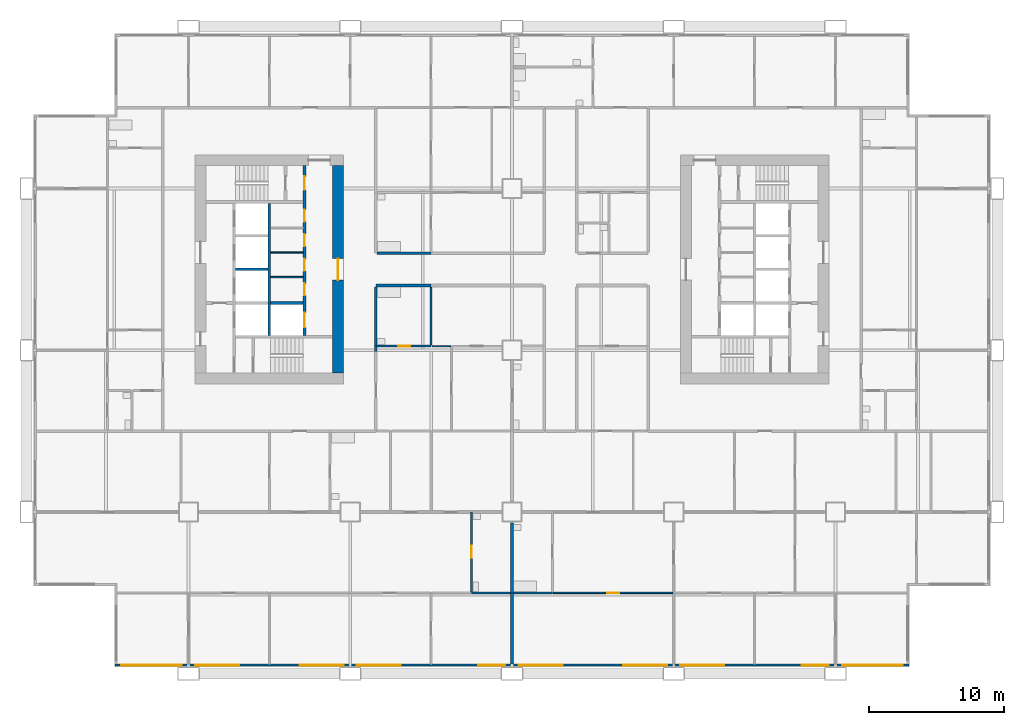
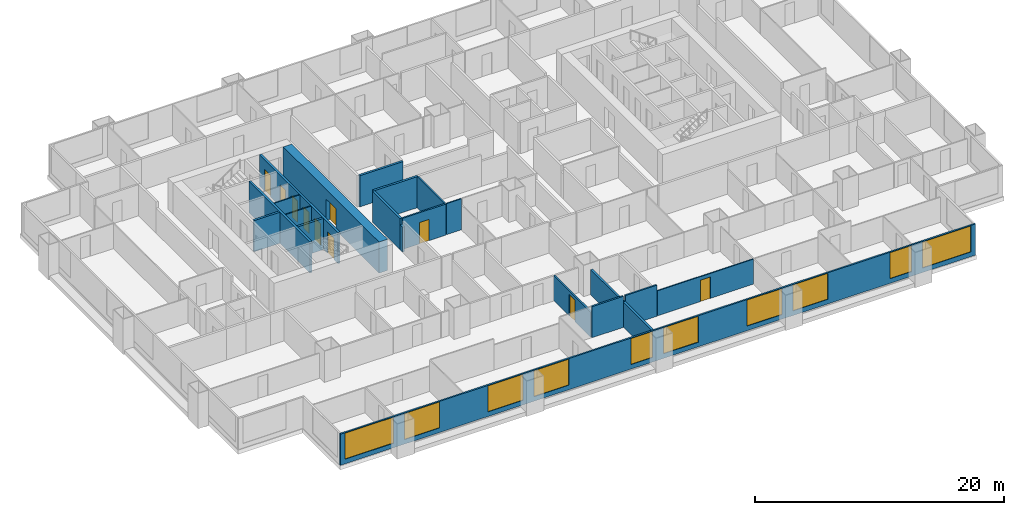
# One storey, part 4 of 13: 21 walls, 10 doors, 10 windows, 20 openings.
"""IFC4 building model written with IfcOpenShell, lengths in metres."""

from ifc_helpers import new_model, si_unit, direction, frame, frame_2d, origin, place, context, subcontext, project, spatial, rectangle, extrude, material, layer, layer_set, type_object, element, fill, save


model = new_model("IFC4")

# Units and contexts
model_context = context("Model", 3, precision=1e-05, world=origin(), true_north=direction((0.0, 1.0)))
body_context = subcontext(model_context, "Body", "Model", "MODEL_VIEW")
ifc_project = project(units=[si_unit("LENGTHUNIT", "METRE"), si_unit("AREAUNIT", "SQUARE_METRE"), si_unit("VOLUMEUNIT", "CUBIC_METRE"), si_unit("PLANEANGLEUNIT", "RADIAN"), si_unit("MASSUNIT", "GRAM", prefix="KILO")], contexts=[model_context])

# Site, building, storey
site_placement = place(None, origin())
site = spatial("IfcSite", under=ifc_project, at=site_placement, CompositionType="ELEMENT")
building_placement = place(site_placement, origin())
building = spatial("IfcBuilding", under=site, at=building_placement, Name="Kitamizu Gate Tower and Museum", CompositionType="ELEMENT")
storey_placement = place(building_placement, frame((0.0, 0.0, 78.300048828125)))
storey = spatial("IfcBuildingStorey", under=building, at=storey_placement, Name="L19", CompositionType="ELEMENT", Elevation=78.300048828125)

# Wall, opening, door
ifc_material_1 = material(Name="Concrete Fc60", Category="concrete")
ifc_layer_1 = layer(ifc_material_1, 0.800048828125)
ifc_layer_set_1 = layer_set([ifc_layer_1], Name="Concrete Fc60")
wall_type_1 = type_object("IfcWallType", Name="Core wall 800", PredefinedType="SHEAR", material=ifc_layer_set_1)
wall_1_placement = place(storey_placement, frame((23.10009765625, 22.300048828125, 0.0), z_axis=(0.0, 0.0, 1.0), x_axis=(0.0, 1.0, 0.0)))
wall_1 = element("IfcWall", 1, at=wall_1_placement, inside=storey, type_object=wall_type_1, Name="Core wall WARC", PredefinedType="SHEAR", context=body_context, shape_type="SweptSolid", body=[
    extrude(rectangle(XDim=15.39990234375, YDim=0.800048828125, at=frame_2d((7.699951171875, 0.0))), origin(), (0.0, 0.0, 1.0), 3.050048828125),
])
opening_1_placement = place(wall_1_placement, frame((6.89990234375, 0.0, 0.0)))
opening_1 = element("IfcOpeningElement", 2, at=opening_1_placement, cuts=wall_1, Name="Opening L19-079", PredefinedType="OPENING", context=body_context, shape_type="SweptSolid", body=[
    extrude(rectangle(XDim=1.60009765625, YDim=2.10009765625, at=frame_2d((0.800048828125, 1.050048828125))), frame((0.0, 0.41015625, 0.0), z_axis=(0.0, -1.0, 0.0), x_axis=(1.0, 0.0, 0.0)), (0.0, 0.0, 1.0), 0.820068359375),
])
ifc_material_2 = material(Name="Timber door set", Category="wood")
door_type_1 = type_object("IfcDoorType", Name="Entrance door 1600", OperationType="DOUBLE_DOOR_SINGLE_SWING", PredefinedType="DOOR", material=ifc_material_2)
door_1_placement = place(opening_1_placement, origin())
door_1 = element("IfcDoor", 3, at=door_1_placement, inside=storey, type_object=door_type_1, Name="Lobby door L19-079", OperationType="DOUBLE_DOOR_SINGLE_SWING", OverallHeight=2.10009765625, OverallWidth=1.60009765625, PredefinedType="DOOR", context=body_context, shape_type="SweptSolid", body=[
    extrude(rectangle(XDim=1.60009765625, YDim=2.10009765625, at=frame_2d((0.800048828125, 1.050048828125))), frame((0.0, 0.02490234375, 0.0), z_axis=(0.0, -1.0, 0.0), x_axis=(1.0, 0.0, 0.0)), (0.0, 0.0, 1.0), 0.050048828125),
])
fill(opening_1, door_1)

# Walls
ifc_material_3 = material(Name="Gypsum board on galvanised stud")
ifc_layer_2 = layer(ifc_material_3, 0.10009765625)
ifc_layer_set_2 = layer_set([ifc_layer_2], Name="Gypsum board on galvanised stud")
wall_type_2 = type_object("IfcWallType", Name="Partition 100", PredefinedType="PARTITIONING", material=ifc_layer_set_2)
for number, where, z_axis, x_axis, name in (
    (4, (18.10009765625, 29.425048828125, 0.0), (0.0, 0.0, 1.0), (1.0, 0.0, 0.0), "Partition WPF1"),
    (5, (18.10009765625, 31.25, 0.0), (0.0, 0.0, 1.0), (1.0, 0.0, 0.0), "Partition WPF2"),
):
    element("IfcWall", number, at=place(storey_placement, frame(where, z_axis=z_axis, x_axis=x_axis)), inside=storey, type_object=wall_type_2, Name=name, PredefinedType="PARTITIONING", context=body_context, shape_type="SweptSolid", body=[
        extrude(rectangle(XDim=2.39990234375, YDim=0.10009765625, at=frame_2d((1.199951171875, 0.0))), origin(), (0.0, 0.0, 1.0), 3.050048828125),
    ])
ifc_material_4 = material(Name="Gypsum board on galvanised stud")
ifc_layer_3 = layer(ifc_material_4, 0.10009765625)
ifc_layer_set_3 = layer_set([ifc_layer_3], Name="Gypsum board on galvanised stud")
wall_type_3 = type_object("IfcWallType", Name="Partition 100 NOT RATED", PredefinedType="PARTITIONING", material=ifc_layer_set_3)
wall_2_placement = place(storey_placement, frame((31.449951171875, 24.300048828125, 0.0), z_axis=(0.0, 0.0, 1.0), x_axis=(-1.0, 0.0, 0.0)))
element("IfcWall", 6, at=wall_2_placement, inside=storey, type_object=wall_type_3, Name="Partition L19-040", PredefinedType="PARTITIONING", context=body_context, shape_type="SweptSolid", body=[
    extrude(rectangle(XDim=1.375, YDim=0.10009765625, at=frame_2d((0.6875, 0.0))), origin(), (0.0, 0.0, 1.0), 3.050048828125),
])

# Wall, opening, door
wall_3_placement = place(storey_placement, frame((47.949951171875, 6.0, 0.0), z_axis=(0.0, 0.0, 1.0), x_axis=(-1.0, 0.0, 0.0)))
wall_3 = element("IfcWall", 7, at=wall_3_placement, inside=storey, type_object=wall_type_3, Name="Partition L19-076", PredefinedType="PARTITIONING", context=body_context, shape_type="SweptSolid", body=[
    extrude(rectangle(XDim=8.875, YDim=0.10009765625, at=frame_2d((4.4375, 0.0))), origin(), (0.0, 0.0, 1.0), 2.449951171875),
])
opening_2_placement = place(wall_3_placement, frame((3.987548828125, 0.0, 0.0)))
opening_2 = element("IfcOpeningElement", 8, at=opening_2_placement, cuts=wall_3, Name="Opening L19-032", PredefinedType="OPENING", context=body_context, shape_type="SweptSolid", body=[
    extrude(rectangle(XDim=0.89990234375, YDim=2.10009765625, at=frame_2d((0.449951171875, 1.050048828125))), frame((0.0, 0.06005859375, 0.0), z_axis=(0.0, -1.0, 0.0), x_axis=(1.0, 0.0, 0.0)), (0.0, 0.0, 1.0), 0.1201171875),
])
ifc_material_5 = material(Name="Timber door set", Category="wood")
door_type_2 = type_object("IfcDoorType", Name="Room door 900", OperationType="NOTDEFINED", PredefinedType="DOOR", material=ifc_material_5)
door_2_placement = place(opening_2_placement, origin())
door_2 = element("IfcDoor", 9, at=door_2_placement, inside=storey, type_object=door_type_2, Name="Door L19-032", OperationType="SINGLE_SWING_RIGHT", OverallHeight=2.10009765625, OverallWidth=0.89990234375, PredefinedType="DOOR", context=body_context, shape_type="SweptSolid", body=[
    extrude(rectangle(XDim=0.89990234375, YDim=2.10009765625, at=frame_2d((0.449951171875, 1.050048828125))), frame((0.0, 0.02490234375, 0.0), z_axis=(0.0, -1.0, 0.0), x_axis=(1.0, 0.0, 0.0)), (0.0, 0.0, 1.0), 0.050048828125),
])
fill(opening_2, door_2)

# Wall
ifc_material_6 = material(Name="Gypsum board on galvanised stud")
ifc_layer_4 = layer(ifc_material_6, 0.14990234375)
ifc_layer_set_4 = layer_set([ifc_layer_4], Name="Gypsum board on galvanised stud")
wall_type_4 = type_object("IfcWallType", Name="Partition 150", PredefinedType="PARTITIONING", material=ifc_layer_set_4)
wall_4_placement = place(storey_placement, frame((35.89990234375, 6.0, 0.0), z_axis=(0.0, 0.0, 1.0), x_axis=(-1.0, 0.0, 0.0)))
element("IfcWall", 10, at=wall_4_placement, inside=storey, type_object=wall_type_4, Name="Partition L19-009", PredefinedType="PARTITIONING", context=body_context, shape_type="SweptSolid", body=[
    extrude(rectangle(XDim=2.89990234375, YDim=0.14990234375, at=frame_2d((1.449951171875, 0.0))), origin(), (0.0, 0.0, 1.0), 3.050048828125),
])

# Wall, opening, door
wall_5_placement = place(storey_placement, frame((33.0, 6.074951171875, 0.0), z_axis=(0.0, 0.0, 1.0), x_axis=(0.0, 1.0, 0.0)))
wall_5 = element("IfcWall", 11, at=wall_5_placement, inside=storey, type_object=wall_type_4, Name="Partition L19-011", PredefinedType="PARTITIONING", context=body_context, shape_type="SweptSolid", body=[
    extrude(rectangle(XDim=5.925048828125, YDim=0.14990234375, at=frame_2d((2.96240234375, 0.0))), origin(), (0.0, 0.0, 1.0), 2.449951171875),
])
opening_3_placement = place(wall_5_placement, frame((2.512451171875, 0.0, 0.0)))
opening_3 = element("IfcOpeningElement", 12, at=opening_3_placement, cuts=wall_5, Name="Opening L19-007", PredefinedType="OPENING", context=body_context, shape_type="SweptSolid", body=[
    extrude(rectangle(XDim=0.89990234375, YDim=2.10009765625, at=frame_2d((0.449951171875, 1.050048828125))), frame((0.0, 0.0849609375, 0.0), z_axis=(0.0, -1.0, 0.0), x_axis=(1.0, 0.0, 0.0)), (0.0, 0.0, 1.0), 0.169921875),
])
ifc_material_7 = material(Name="Timber door set", Category="wood")
door_type_3 = type_object("IfcDoorType", Name="Bathroom door 900", OperationType="NOTDEFINED", PredefinedType="DOOR", material=ifc_material_7)
door_3_placement = place(opening_3_placement, frame((0.89990234375, 0.0, 0.0), x_axis=(-1.0, 0.0, 0.0)))
door_3 = element("IfcDoor", 13, at=door_3_placement, inside=storey, type_object=door_type_3, Name="Bathroom door L19-007", OperationType="SINGLE_SWING_LEFT", OverallHeight=2.10009765625, OverallWidth=0.89990234375, PredefinedType="DOOR", context=body_context, shape_type="SweptSolid", body=[
    extrude(rectangle(XDim=0.89990234375, YDim=2.10009765625, at=frame_2d((0.449951171875, 1.050048828125))), frame((0.0, 0.02490234375, 0.0), z_axis=(0.0, -1.0, 0.0), x_axis=(1.0, 0.0, 0.0)), (0.0, 0.0, 1.0), 0.050048828125),
])
fill(opening_3, door_3)

wall_6_placement = place(storey_placement, frame((30.0, 24.300048828125, 0.0), z_axis=(0.0, 0.0, 1.0), x_axis=(-1.0, 0.0, 0.0)))
wall_6 = element("IfcWall", 14, at=wall_6_placement, inside=storey, type_object=wall_type_4, Name="Partition L19-039", PredefinedType="PARTITIONING", context=body_context, shape_type="SweptSolid", body=[
    extrude(rectangle(XDim=4.0, YDim=0.14990234375, at=frame_2d((2.0, 0.0))), origin(), (0.0, 0.0, 1.0), 3.050048828125),
])
opening_4_placement = place(wall_6_placement, frame((1.550048828125, 0.0, 0.0)))
opening_4 = element("IfcOpeningElement", 15, at=opening_4_placement, cuts=wall_6, Name="Opening L19-016", PredefinedType="OPENING", context=body_context, shape_type="SweptSolid", body=[
    extrude(rectangle(XDim=0.89990234375, YDim=2.10009765625, at=frame_2d((0.449951171875, 1.050048828125))), frame((0.0, 0.0849609375, 0.0), z_axis=(0.0, -1.0, 0.0), x_axis=(1.0, 0.0, 0.0)), (0.0, 0.0, 1.0), 0.169921875),
])
door_4_placement = place(opening_4_placement, frame((0.89990234375, 0.0, 0.0), x_axis=(-1.0, 0.0, 0.0)))
door_4 = element("IfcDoor", 16, at=door_4_placement, inside=storey, type_object=door_type_3, Name="Bathroom door L19-016", OperationType="SINGLE_SWING_LEFT", OverallHeight=2.10009765625, OverallWidth=0.89990234375, PredefinedType="DOOR", context=body_context, shape_type="SweptSolid", body=[
    extrude(rectangle(XDim=0.89990234375, YDim=2.10009765625, at=frame_2d((0.449951171875, 1.050048828125))), frame((0.0, 0.02490234375, 0.0), z_axis=(0.0, -1.0, 0.0), x_axis=(1.0, 0.0, 0.0)), (0.0, 0.0, 1.0), 0.050048828125),
])
fill(opening_4, door_4)

# Walls
wall_7_placement = place(storey_placement, frame((30.0, 24.375, 0.0), z_axis=(0.0, 0.0, 1.0), x_axis=(0.0, 1.0, 0.0)))
element("IfcWall", 17, at=wall_7_placement, inside=storey, type_object=wall_type_4, Name="Partition L19-048", PredefinedType="PARTITIONING", context=body_context, shape_type="SweptSolid", body=[
    extrude(rectangle(XDim=4.324951171875, YDim=0.14990234375, at=frame_2d((2.16259765625, 0.0))), origin(), (0.0, 0.0, 1.0), 3.050048828125),
])
wall_8_placement = place(storey_placement, frame((39.0, 6.0, 0.0), z_axis=(0.0, 0.0, 1.0), x_axis=(-1.0, 0.0, 0.0)))
element("IfcWall", 18, at=wall_8_placement, inside=storey, type_object=wall_type_4, Name="Partition L19-075", PredefinedType="PARTITIONING", context=body_context, shape_type="SweptSolid", body=[
    extrude(rectangle(XDim=2.89990234375, YDim=0.14990234375, at=frame_2d((1.449951171875, 0.0))), origin(), (0.0, 0.0, 1.0), 3.050048828125),
])
ifc_material_8 = material(Name="Gypsum board on galvanised stud")
ifc_layer_5 = layer(ifc_material_8, 0.199951171875)
ifc_layer_set_5 = layer_set([ifc_layer_5], Name="Gypsum board on galvanised stud")
wall_type_5 = type_object("IfcWallType", Name="Partition 200", PredefinedType="PARTITIONING", material=ifc_layer_set_5)
wall_9_placement = place(storey_placement, frame((36.0, 0.719970703125, 0.0), z_axis=(0.0, 0.0, 1.0), x_axis=(0.0, 1.0, 0.0)))
element("IfcWall", 19, at=wall_9_placement, inside=storey, type_object=wall_type_5, Name="Partition L19-010", PredefinedType="PARTITIONING", context=body_context, shape_type="SweptSolid", body=[
    extrude(rectangle(XDim=5.280029296875, YDim=0.199951171875, at=frame_2d((2.64013671875, 0.0))), origin(), (0.0, 0.0, 1.0), 2.449951171875),
])
wall_10_placement = place(storey_placement, frame((36.0, 6.0, 0.0), z_axis=(0.0, 0.0, 1.0), x_axis=(0.0, 1.0, 0.0)))
element("IfcWall", 20, at=wall_10_placement, inside=storey, type_object=wall_type_5, Name="Partition L19-020", PredefinedType="PARTITIONING", context=body_context, shape_type="SweptSolid", body=[
    extrude(rectangle(XDim=5.199951171875, YDim=0.199951171875, at=frame_2d((2.60009765625, 0.0))), origin(), (0.0, 0.0, 1.0), 2.449951171875),
])
wall_11_placement = place(storey_placement, frame((25.89990234375, 24.300048828125, 0.0), z_axis=(0.0, 0.0, 1.0), x_axis=(0.0, -1.0, 0.0)))
element("IfcWall", 21, at=wall_11_placement, inside=storey, type_object=wall_type_5, Name="Partition L19-041", PredefinedType="PARTITIONING", context=body_context, shape_type="SweptSolid", body=[
    extrude(rectangle(XDim=0.400146484375, YDim=0.199951171875, at=frame_2d((0.2001953125, 0.0))), origin(), (0.0, 0.0, 1.0), 2.449951171875),
])
wall_12_placement = place(storey_placement, frame((30.0, 28.800048828125, 0.0), z_axis=(0.0, 0.0, 1.0), x_axis=(-1.0, 0.0, 0.0)))
element("IfcWall", 22, at=wall_12_placement, inside=storey, type_object=wall_type_5, Name="Partition L19-049", PredefinedType="PARTITIONING", context=body_context, shape_type="SweptSolid", body=[
    extrude(rectangle(XDim=4.10009765625, YDim=0.199951171875, at=frame_2d((2.050048828125, 0.0))), origin(), (0.0, 0.0, 1.0), 3.050048828125),
])
wall_13_placement = place(storey_placement, frame((25.89990234375, 28.699951171875, 0.0), z_axis=(0.0, 0.0, 1.0), x_axis=(0.0, -1.0, 0.0)))
element("IfcWall", 23, at=wall_13_placement, inside=storey, type_object=wall_type_5, Name="Partition L19-050", PredefinedType="PARTITIONING", context=body_context, shape_type="SweptSolid", body=[
    extrude(rectangle(XDim=4.39990234375, YDim=0.199951171875, at=frame_2d((2.199951171875, 0.0))), origin(), (0.0, 0.0, 1.0), 3.050048828125),
])
wall_14_placement = place(storey_placement, frame((26.0, 31.199951171875, 0.0), z_axis=(0.0, 0.0, 1.0), x_axis=(1.0, 0.0, 0.0)))
element("IfcWall", 24, at=wall_14_placement, inside=storey, type_object=wall_type_5, Name="Partition L19-167", PredefinedType="PARTITIONING", context=body_context, shape_type="SweptSolid", body=[
    extrude(rectangle(XDim=4.0, YDim=0.199951171875, at=frame_2d((2.0, 0.0))), origin(), (0.0, 0.0, 1.0), 3.050048828125),
])

# Wall, openings, doors
ifc_material_9 = material(Name="Concrete Fc42", Category="concrete")
ifc_layer_6 = layer(ifc_material_9, 0.199951171875)
ifc_layer_set_6 = layer_set([ifc_layer_6], Name="Concrete Fc42")
wall_type_6 = type_object("IfcWallType", Name="Shaft wall 200", PredefinedType="SOLIDWALL", material=ifc_layer_set_6)
wall_15_placement = place(storey_placement, frame((20.60009765625, 25.10009765625, 0.0), z_axis=(0.0, 0.0, 1.0), x_axis=(0.0, 1.0, 0.0)))
wall_15 = element("IfcWall", 25, at=wall_15_placement, inside=storey, type_object=wall_type_6, Name="Shaft wall WEAST", PredefinedType="SOLIDWALL", context=body_context, shape_type="SweptSolid", body=[
    extrude(rectangle(XDim=12.599853515625, YDim=0.199951171875, at=frame_2d((6.2998046875, 0.0))), origin(), (0.0, 0.0, 1.0), 3.050048828125),
])
opening_5_placement = place(wall_15_placement, frame((0.60009765625, 0.0, 0.0)))
opening_5 = element("IfcOpeningElement", 26, at=opening_5_placement, cuts=wall_15, Name="Opening LD", PredefinedType="OPENING", context=body_context, shape_type="SweptSolid", body=[
    extrude(rectangle(XDim=1.10009765625, YDim=2.10009765625, at=frame_2d((0.550048828125, 1.050048828125))), frame((0.0, 0.10986328125, 0.0), z_axis=(0.0, -1.0, 0.0), x_axis=(1.0, 0.0, 0.0)), (0.0, 0.0, 1.0), 0.219970703125),
])
opening_6_placement = place(wall_15_placement, frame((10.800048828125, 0.0, 0.0)))
opening_6 = element("IfcOpeningElement", 27, at=opening_6_placement, cuts=wall_15, Name="Opening L19-073", PredefinedType="OPENING", context=body_context, shape_type="SweptSolid", body=[
    extrude(rectangle(XDim=1.0, YDim=2.10009765625, at=frame_2d((0.5, 1.050048828125))), frame((0.0, 0.10986328125, 0.0), z_axis=(0.0, -1.0, 0.0), x_axis=(1.0, 0.0, 0.0)), (0.0, 0.0, 1.0), 0.219970703125),
])
opening_7_placement = place(wall_15_placement, frame((2.96240234375, 0.0, 0.0)))
opening_7 = element("IfcOpeningElement", 28, at=opening_7_placement, cuts=wall_15, Name="Opening L19-080", PredefinedType="OPENING", context=body_context, shape_type="SweptSolid", body=[
    extrude(rectangle(XDim=0.89990234375, YDim=2.10009765625, at=frame_2d((0.449951171875, 1.050048828125))), frame((0.0, 0.10986328125, 0.0), z_axis=(0.0, -1.0, 0.0), x_axis=(1.0, 0.0, 0.0)), (0.0, 0.0, 1.0), 0.219970703125),
])
opening_8_placement = place(wall_15_placement, frame((4.78759765625, 0.0, 0.0)))
opening_8 = element("IfcOpeningElement", 29, at=opening_8_placement, cuts=wall_15, Name="Opening L19-081", PredefinedType="OPENING", context=body_context, shape_type="SweptSolid", body=[
    extrude(rectangle(XDim=0.89990234375, YDim=2.10009765625, at=frame_2d((0.449951171875, 1.050048828125))), frame((0.0, 0.10986328125, 0.0), z_axis=(0.0, -1.0, 0.0), x_axis=(1.0, 0.0, 0.0)), (0.0, 0.0, 1.0), 0.219970703125),
])
opening_9_placement = place(wall_15_placement, frame((6.612548828125, 0.0, 0.0)))
opening_9 = element("IfcOpeningElement", 30, at=opening_9_placement, cuts=wall_15, Name="Opening L19-082", PredefinedType="OPENING", context=body_context, shape_type="SweptSolid", body=[
    extrude(rectangle(XDim=0.89990234375, YDim=2.10009765625, at=frame_2d((0.449951171875, 1.050048828125))), frame((0.0, 0.10986328125, 0.0), z_axis=(0.0, -1.0, 0.0), x_axis=(1.0, 0.0, 0.0)), (0.0, 0.0, 1.0), 0.219970703125),
])
opening_10_placement = place(wall_15_placement, frame((8.4375, 0.0, 0.0)))
opening_10 = element("IfcOpeningElement", 31, at=opening_10_placement, cuts=wall_15, Name="Opening L19-083", PredefinedType="OPENING", context=body_context, shape_type="SweptSolid", body=[
    extrude(rectangle(XDim=0.89990234375, YDim=2.10009765625, at=frame_2d((0.449951171875, 1.050048828125))), frame((0.0, 0.10986328125, 0.0), z_axis=(0.0, -1.0, 0.0), x_axis=(1.0, 0.0, 0.0)), (0.0, 0.0, 1.0), 0.219970703125),
])
ifc_material_10 = material(Name="Hollow metal door set")
door_type_4 = type_object("IfcDoorType", Name="Fire door 1000", OperationType="NOTDEFINED", PredefinedType="DOOR", material=ifc_material_10)
door_5_placement = place(opening_6_placement, origin())
door_5 = element("IfcDoor", 32, at=door_5_placement, inside=storey, type_object=door_type_4, Name="Stair lobby door L19-073", OperationType="SINGLE_SWING_RIGHT", OverallHeight=2.10009765625, OverallWidth=1.0, PredefinedType="DOOR", context=body_context, shape_type="SweptSolid", body=[
    extrude(rectangle(XDim=1.0, YDim=2.10009765625, at=frame_2d((0.5, 1.050048828125))), frame((0.0, 0.02490234375, 0.0), z_axis=(0.0, -1.0, 0.0), x_axis=(1.0, 0.0, 0.0)), (0.0, 0.0, 1.0), 0.050048828125),
])
fill(opening_6, door_5)
ifc_material_11 = material(Name="Hollow metal door set")
door_type_5 = type_object("IfcDoorType", Name="Landing door 1100", OperationType="SLIDING_TO_LEFT", PredefinedType="DOOR", material=ifc_material_11)
door_6_placement = place(opening_5_placement, origin())
door_6 = element("IfcDoor", 33, at=door_6_placement, inside=storey, type_object=door_type_5, Name="Landing door WSV1", OperationType="SLIDING_TO_LEFT", OverallHeight=2.10009765625, OverallWidth=1.10009765625, PredefinedType="DOOR", context=body_context, shape_type="SweptSolid", body=[
    extrude(rectangle(XDim=1.10009765625, YDim=2.10009765625, at=frame_2d((0.550048828125, 1.050048828125))), frame((0.0, 0.02490234375, 0.0), z_axis=(0.0, -1.0, 0.0), x_axis=(1.0, 0.0, 0.0)), (0.0, 0.0, 1.0), 0.050048828125),
])
fill(opening_5, door_6)
ifc_material_12 = material(Name="Timber door set", Category="wood")
door_type_6 = type_object("IfcDoorType", Name="Service door 900", OperationType="NOTDEFINED", PredefinedType="DOOR", material=ifc_material_12)
door_7_placement = place(opening_7_placement, origin())
door_7 = element("IfcDoor", 34, at=door_7_placement, inside=storey, type_object=door_type_6, Name="Service door L19-080", OperationType="SINGLE_SWING_RIGHT", OverallHeight=2.10009765625, OverallWidth=0.89990234375, PredefinedType="DOOR", context=body_context, shape_type="SweptSolid", body=[
    extrude(rectangle(XDim=0.89990234375, YDim=2.10009765625, at=frame_2d((0.449951171875, 1.050048828125))), frame((0.0, 0.02490234375, 0.0), z_axis=(0.0, -1.0, 0.0), x_axis=(1.0, 0.0, 0.0)), (0.0, 0.0, 1.0), 0.050048828125),
])
fill(opening_7, door_7)
door_8_placement = place(opening_8_placement, origin())
door_8 = element("IfcDoor", 35, at=door_8_placement, inside=storey, type_object=door_type_6, Name="Service door L19-081", OperationType="SINGLE_SWING_LEFT", OverallHeight=2.10009765625, OverallWidth=0.89990234375, PredefinedType="DOOR", context=body_context, shape_type="SweptSolid", body=[
    extrude(rectangle(XDim=0.89990234375, YDim=2.10009765625, at=frame_2d((0.449951171875, 1.050048828125))), frame((0.0, 0.02490234375, 0.0), z_axis=(0.0, -1.0, 0.0), x_axis=(1.0, 0.0, 0.0)), (0.0, 0.0, 1.0), 0.050048828125),
])
fill(opening_8, door_8)
door_9_placement = place(opening_9_placement, origin())
door_9 = element("IfcDoor", 36, at=door_9_placement, inside=storey, type_object=door_type_6, Name="Service door L19-082", OperationType="SINGLE_SWING_RIGHT", OverallHeight=2.10009765625, OverallWidth=0.89990234375, PredefinedType="DOOR", context=body_context, shape_type="SweptSolid", body=[
    extrude(rectangle(XDim=0.89990234375, YDim=2.10009765625, at=frame_2d((0.449951171875, 1.050048828125))), frame((0.0, 0.02490234375, 0.0), z_axis=(0.0, -1.0, 0.0), x_axis=(1.0, 0.0, 0.0)), (0.0, 0.0, 1.0), 0.050048828125),
])
fill(opening_9, door_9)
door_10_placement = place(opening_10_placement, origin())
door_10 = element("IfcDoor", 37, at=door_10_placement, inside=storey, type_object=door_type_6, Name="Service door L19-083", OperationType="SINGLE_SWING_LEFT", OverallHeight=2.10009765625, OverallWidth=0.89990234375, PredefinedType="DOOR", context=body_context, shape_type="SweptSolid", body=[
    extrude(rectangle(XDim=0.89990234375, YDim=2.10009765625, at=frame_2d((0.449951171875, 1.050048828125))), frame((0.0, 0.02490234375, 0.0), z_axis=(0.0, -1.0, 0.0), x_axis=(1.0, 0.0, 0.0)), (0.0, 0.0, 1.0), 0.050048828125),
])
fill(opening_10, door_10)

# Walls
wall_16_placement = place(storey_placement, frame((18.0, 25.10009765625, 0.0), z_axis=(0.0, 0.0, 1.0), x_axis=(0.0, 1.0, 0.0)))
element("IfcWall", 38, at=wall_16_placement, inside=storey, type_object=wall_type_6, Name="Shaft wall WMID", PredefinedType="SOLIDWALL", context=body_context, shape_type="SweptSolid", body=[
    extrude(rectangle(XDim=9.7998046875, YDim=0.199951171875, at=frame_2d((4.89990234375, 0.0))), origin(), (0.0, 0.0, 1.0), 3.050048828125),
])
for number, where, z_axis, x_axis, name in (
    (39, (15.5, 30.0, 0.0), (0.0, 0.0, 1.0), (1.0, 0.0, 0.0), "Shaft wall WDVW1"),
    (40, (18.10009765625, 27.5, 0.0), (0.0, 0.0, 1.0), (1.0, 0.0, 0.0), "Shaft wall WDVE0"),
):
    element("IfcWall", number, at=place(storey_placement, frame(where, z_axis=z_axis, x_axis=x_axis)), inside=storey, type_object=wall_type_6, Name=name, PredefinedType="SOLIDWALL", context=body_context, shape_type="SweptSolid", body=[
        extrude(rectangle(XDim=2.39990234375, YDim=0.199951171875, at=frame_2d((1.199951171875, 0.0))), origin(), (0.0, 0.0, 1.0), 3.050048828125),
    ])

# Wall, openings, windows
ifc_material_13 = material(Name="Bronze anodised aluminium frame with insulated spandrel and tinted glass", Category="aluminium")
ifc_layer_7 = layer(ifc_material_13, 0.14990234375)
ifc_layer_set_7 = layer_set([ifc_layer_7], Name="Bronze anodised aluminium frame with insulated spandrel and tinted glass")
wall_type_7 = type_object("IfcWallType", Name="WINDOW WALL 150 BRONZE FRAME EI 30", PredefinedType="ELEMENTEDWALL", material=ifc_layer_set_7)
wall_17_placement = place(storey_placement, frame((6.56005859375, 0.635009765625, 0.0), z_axis=(0.0, 0.0, 1.0), x_axis=(1.0, 0.0, 0.0)))
wall_17 = element("IfcWall", 41, at=wall_17_placement, inside=storey, type_object=wall_type_7, Name="Window wall south L19", PredefinedType="ELEMENTEDWALL", context=body_context, shape_type="SweptSolid", body=[
    extrude(rectangle(XDim=58.8798828125, YDim=0.14990234375, at=frame_2d((29.43994140625, 0.0))), origin(), (0.0, 0.0, 1.0), 3.050048828125),
])
opening_11_placement = place(wall_17_placement, frame((0.43994140625, 0.0, 0.449951171875)))
opening_11 = element("IfcOpeningElement", 42, at=opening_11_placement, cuts=wall_17, Name="Opening W15", PredefinedType="OPENING", context=body_context, shape_type="SweptSolid", body=[
    extrude(rectangle(XDim=4.5, YDim=2.550048828125, at=frame_2d((2.25, 1.27490234375))), frame((0.0, 0.0849609375, 0.0), z_axis=(0.0, -1.0, 0.0), x_axis=(1.0, 0.0, 0.0)), (0.0, 0.0, 1.0), 0.169921875),
])
opening_12_placement = place(wall_17_placement, frame((5.93994140625, 0.0, 0.449951171875)))
opening_12 = element("IfcOpeningElement", 43, at=opening_12_placement, cuts=wall_17, Name="Opening W34", PredefinedType="OPENING", context=body_context, shape_type="SweptSolid", body=[
    extrude(rectangle(XDim=3.25, YDim=2.550048828125, at=frame_2d((1.625, 1.27490234375))), frame((0.0, 0.0849609375, 0.0), z_axis=(0.0, -1.0, 0.0), x_axis=(1.0, 0.0, 0.0)), (0.0, 0.0, 1.0), 0.169921875),
])
opening_13_placement = place(wall_17_placement, frame((13.68994140625, 0.0, 0.449951171875)))
opening_13 = element("IfcOpeningElement", 44, at=opening_13_placement, cuts=wall_17, Name="Opening W34", PredefinedType="OPENING", context=body_context, shape_type="SweptSolid", body=[
    extrude(rectangle(XDim=3.25, YDim=2.550048828125, at=frame_2d((1.625, 1.27490234375))), frame((0.0, 0.0849609375, 0.0), z_axis=(0.0, -1.0, 0.0), x_axis=(1.0, 0.0, 0.0)), (0.0, 0.0, 1.0), 0.169921875),
])
opening_14_placement = place(wall_17_placement, frame((17.93994140625, 0.0, 0.449951171875)))
opening_14 = element("IfcOpeningElement", 45, at=opening_14_placement, cuts=wall_17, Name="Opening W34", PredefinedType="OPENING", context=body_context, shape_type="SweptSolid", body=[
    extrude(rectangle(XDim=3.25, YDim=2.550048828125, at=frame_2d((1.625, 1.27490234375))), frame((0.0, 0.0849609375, 0.0), z_axis=(0.0, -1.0, 0.0), x_axis=(1.0, 0.0, 0.0)), (0.0, 0.0, 1.0), 0.169921875),
])
opening_15_placement = place(wall_17_placement, frame((26.93994140625, 0.0, 0.449951171875)))
opening_15 = element("IfcOpeningElement", 46, at=opening_15_placement, cuts=wall_17, Name="Opening W2", PredefinedType="OPENING", context=body_context, shape_type="SweptSolid", body=[
    extrude(rectangle(XDim=2.0, YDim=2.550048828125, at=frame_2d((1.0, 1.27490234375))), frame((0.0, 0.0849609375, 0.0), z_axis=(0.0, -1.0, 0.0), x_axis=(1.0, 0.0, 0.0)), (0.0, 0.0, 1.0), 0.169921875),
])
opening_16_placement = place(wall_17_placement, frame((29.93994140625, 0.0, 0.449951171875)))
opening_16 = element("IfcOpeningElement", 47, at=opening_16_placement, cuts=wall_17, Name="Opening W34", PredefinedType="OPENING", context=body_context, shape_type="SweptSolid", body=[
    extrude(rectangle(XDim=3.25, YDim=2.550048828125, at=frame_2d((1.625, 1.27490234375))), frame((0.0, 0.0849609375, 0.0), z_axis=(0.0, -1.0, 0.0), x_axis=(1.0, 0.0, 0.0)), (0.0, 0.0, 1.0), 0.169921875),
])
opening_17_placement = place(wall_17_placement, frame((37.68994140625, 0.0, 0.449951171875)))
opening_17 = element("IfcOpeningElement", 48, at=opening_17_placement, cuts=wall_17, Name="Opening W34", PredefinedType="OPENING", context=body_context, shape_type="SweptSolid", body=[
    extrude(rectangle(XDim=3.25, YDim=2.550048828125, at=frame_2d((1.625, 1.27490234375))), frame((0.0, 0.0849609375, 0.0), z_axis=(0.0, -1.0, 0.0), x_axis=(1.0, 0.0, 0.0)), (0.0, 0.0, 1.0), 0.169921875),
])
opening_18_placement = place(wall_17_placement, frame((41.93994140625, 0.0, 0.449951171875)))
opening_18 = element("IfcOpeningElement", 49, at=opening_18_placement, cuts=wall_17, Name="Opening W34", PredefinedType="OPENING", context=body_context, shape_type="SweptSolid", body=[
    extrude(rectangle(XDim=3.25, YDim=2.550048828125, at=frame_2d((1.625, 1.27490234375))), frame((0.0, 0.0849609375, 0.0), z_axis=(0.0, -1.0, 0.0), x_axis=(1.0, 0.0, 0.0)), (0.0, 0.0, 1.0), 0.169921875),
])
opening_19_placement = place(wall_17_placement, frame((50.93994140625, 0.0, 0.449951171875)))
opening_19 = element("IfcOpeningElement", 50, at=opening_19_placement, cuts=wall_17, Name="Opening W2", PredefinedType="OPENING", context=body_context, shape_type="SweptSolid", body=[
    extrude(rectangle(XDim=2.0, YDim=2.550048828125, at=frame_2d((1.0, 1.27490234375))), frame((0.0, 0.0849609375, 0.0), z_axis=(0.0, -1.0, 0.0), x_axis=(1.0, 0.0, 0.0)), (0.0, 0.0, 1.0), 0.169921875),
])
opening_20_placement = place(wall_17_placement, frame((53.93994140625, 0.0, 0.449951171875)))
opening_20 = element("IfcOpeningElement", 51, at=opening_20_placement, cuts=wall_17, Name="Opening W15", PredefinedType="OPENING", context=body_context, shape_type="SweptSolid", body=[
    extrude(rectangle(XDim=4.5, YDim=2.550048828125, at=frame_2d((2.25, 1.27490234375))), frame((0.0, 0.0849609375, 0.0), z_axis=(0.0, -1.0, 0.0), x_axis=(1.0, 0.0, 0.0)), (0.0, 0.0, 1.0), 0.169921875),
])
ifc_material_14 = material(Name="Bronze anodised aluminium frame, tinted triple glazing", Category="aluminium")
window_type_1 = type_object("IfcWindowType", Name="WINDOW 2000 x 2550 SILL 450", PartitioningType="SINGLE_PANEL", PredefinedType="WINDOW", material=ifc_material_14)
window_1_placement = place(opening_15_placement, origin())
window_1 = element("IfcWindow", 52, at=window_1_placement, inside=storey, type_object=window_type_1, Name="Window W2 L19", OverallHeight=2.550048828125, OverallWidth=2.0, PartitioningType="SINGLE_PANEL", PredefinedType="WINDOW", context=body_context, shape_type="SweptSolid", body=[
    extrude(rectangle(XDim=2.0, YDim=2.550048828125, at=frame_2d((1.0, 1.27490234375))), frame((0.0, 0.030029296875, 0.0), z_axis=(0.0, -1.0, 0.0), x_axis=(1.0, 0.0, 0.0)), (0.0, 0.0, 1.0), 0.06005859375),
])
fill(opening_15, window_1)
window_2_placement = place(opening_19_placement, origin())
window_2 = element("IfcWindow", 53, at=window_2_placement, inside=storey, type_object=window_type_1, Name="Window W2 L19", OverallHeight=2.550048828125, OverallWidth=2.0, PartitioningType="SINGLE_PANEL", PredefinedType="WINDOW", context=body_context, shape_type="SweptSolid", body=[
    extrude(rectangle(XDim=2.0, YDim=2.550048828125, at=frame_2d((1.0, 1.27490234375))), frame((0.0, 0.030029296875, 0.0), z_axis=(0.0, -1.0, 0.0), x_axis=(1.0, 0.0, 0.0)), (0.0, 0.0, 1.0), 0.06005859375),
])
fill(opening_19, window_2)
ifc_material_15 = material(Name="Bronze anodised aluminium frame, tinted triple glazing", Category="aluminium")
window_type_2 = type_object("IfcWindowType", Name="WINDOW 3250 x 2550 SILL 450", PartitioningType="SINGLE_PANEL", PredefinedType="WINDOW", material=ifc_material_15)
window_3_placement = place(opening_12_placement, origin())
window_3 = element("IfcWindow", 54, at=window_3_placement, inside=storey, type_object=window_type_2, Name="Window W34 L19", OverallHeight=2.550048828125, OverallWidth=3.25, PartitioningType="SINGLE_PANEL", PredefinedType="WINDOW", context=body_context, shape_type="SweptSolid", body=[
    extrude(rectangle(XDim=3.25, YDim=2.550048828125, at=frame_2d((1.625, 1.27490234375))), frame((0.0, 0.030029296875, 0.0), z_axis=(0.0, -1.0, 0.0), x_axis=(1.0, 0.0, 0.0)), (0.0, 0.0, 1.0), 0.06005859375),
])
fill(opening_12, window_3)
window_4_placement = place(opening_13_placement, origin())
window_4 = element("IfcWindow", 55, at=window_4_placement, inside=storey, type_object=window_type_2, Name="Window W34 L19", OverallHeight=2.550048828125, OverallWidth=3.25, PartitioningType="SINGLE_PANEL", PredefinedType="WINDOW", context=body_context, shape_type="SweptSolid", body=[
    extrude(rectangle(XDim=3.25, YDim=2.550048828125, at=frame_2d((1.625, 1.27490234375))), frame((0.0, 0.030029296875, 0.0), z_axis=(0.0, -1.0, 0.0), x_axis=(1.0, 0.0, 0.0)), (0.0, 0.0, 1.0), 0.06005859375),
])
fill(opening_13, window_4)
window_5_placement = place(opening_14_placement, origin())
window_5 = element("IfcWindow", 56, at=window_5_placement, inside=storey, type_object=window_type_2, Name="Window W34 L19", OverallHeight=2.550048828125, OverallWidth=3.25, PartitioningType="SINGLE_PANEL", PredefinedType="WINDOW", context=body_context, shape_type="SweptSolid", body=[
    extrude(rectangle(XDim=3.25, YDim=2.550048828125, at=frame_2d((1.625, 1.27490234375))), frame((0.0, 0.030029296875, 0.0), z_axis=(0.0, -1.0, 0.0), x_axis=(1.0, 0.0, 0.0)), (0.0, 0.0, 1.0), 0.06005859375),
])
fill(opening_14, window_5)
window_6_placement = place(opening_16_placement, origin())
window_6 = element("IfcWindow", 57, at=window_6_placement, inside=storey, type_object=window_type_2, Name="Window W34 L19", OverallHeight=2.550048828125, OverallWidth=3.25, PartitioningType="SINGLE_PANEL", PredefinedType="WINDOW", context=body_context, shape_type="SweptSolid", body=[
    extrude(rectangle(XDim=3.25, YDim=2.550048828125, at=frame_2d((1.625, 1.27490234375))), frame((0.0, 0.030029296875, 0.0), z_axis=(0.0, -1.0, 0.0), x_axis=(1.0, 0.0, 0.0)), (0.0, 0.0, 1.0), 0.06005859375),
])
fill(opening_16, window_6)
window_7_placement = place(opening_17_placement, origin())
window_7 = element("IfcWindow", 58, at=window_7_placement, inside=storey, type_object=window_type_2, Name="Window W34 L19", OverallHeight=2.550048828125, OverallWidth=3.25, PartitioningType="SINGLE_PANEL", PredefinedType="WINDOW", context=body_context, shape_type="SweptSolid", body=[
    extrude(rectangle(XDim=3.25, YDim=2.550048828125, at=frame_2d((1.625, 1.27490234375))), frame((0.0, 0.030029296875, 0.0), z_axis=(0.0, -1.0, 0.0), x_axis=(1.0, 0.0, 0.0)), (0.0, 0.0, 1.0), 0.06005859375),
])
fill(opening_17, window_7)
window_8_placement = place(opening_18_placement, origin())
window_8 = element("IfcWindow", 59, at=window_8_placement, inside=storey, type_object=window_type_2, Name="Window W34 L19", OverallHeight=2.550048828125, OverallWidth=3.25, PartitioningType="SINGLE_PANEL", PredefinedType="WINDOW", context=body_context, shape_type="SweptSolid", body=[
    extrude(rectangle(XDim=3.25, YDim=2.550048828125, at=frame_2d((1.625, 1.27490234375))), frame((0.0, 0.030029296875, 0.0), z_axis=(0.0, -1.0, 0.0), x_axis=(1.0, 0.0, 0.0)), (0.0, 0.0, 1.0), 0.06005859375),
])
fill(opening_18, window_8)
ifc_material_16 = material(Name="Bronze anodised aluminium frame, tinted triple glazing", Category="aluminium")
window_type_3 = type_object("IfcWindowType", Name="WINDOW 4500 x 2550 SILL 450", PartitioningType="SINGLE_PANEL", PredefinedType="WINDOW", material=ifc_material_16)
window_9_placement = place(opening_11_placement, origin())
window_9 = element("IfcWindow", 60, at=window_9_placement, inside=storey, type_object=window_type_3, Name="Window W15 L19", OverallHeight=2.550048828125, OverallWidth=4.5, PartitioningType="SINGLE_PANEL", PredefinedType="WINDOW", context=body_context, shape_type="SweptSolid", body=[
    extrude(rectangle(XDim=4.5, YDim=2.550048828125, at=frame_2d((2.25, 1.27490234375))), frame((0.0, 0.030029296875, 0.0), z_axis=(0.0, -1.0, 0.0), x_axis=(1.0, 0.0, 0.0)), (0.0, 0.0, 1.0), 0.06005859375),
])
fill(opening_11, window_9)
window_10_placement = place(opening_20_placement, origin())
window_10 = element("IfcWindow", 61, at=window_10_placement, inside=storey, type_object=window_type_3, Name="Window W15 L19", OverallHeight=2.550048828125, OverallWidth=4.5, PartitioningType="SINGLE_PANEL", PredefinedType="WINDOW", context=body_context, shape_type="SweptSolid", body=[
    extrude(rectangle(XDim=4.5, YDim=2.550048828125, at=frame_2d((2.25, 1.27490234375))), frame((0.0, 0.030029296875, 0.0), z_axis=(0.0, -1.0, 0.0), x_axis=(1.0, 0.0, 0.0)), (0.0, 0.0, 1.0), 0.06005859375),
])
fill(opening_20, window_10)

save(model, "model.ifc")
